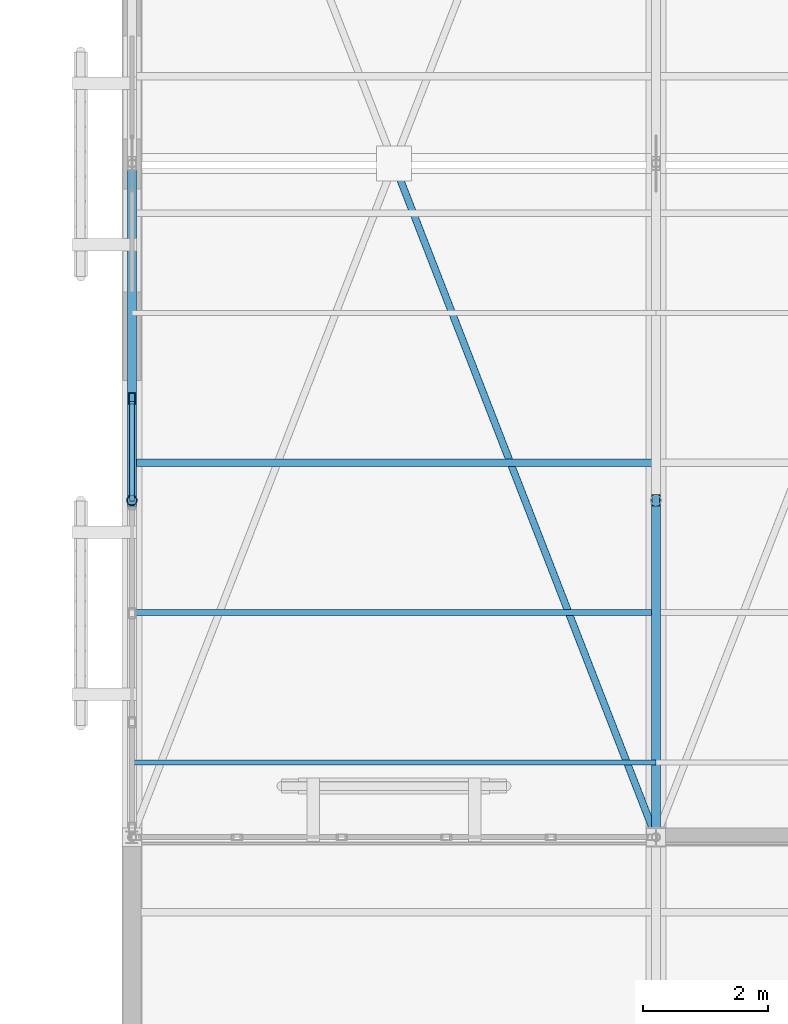
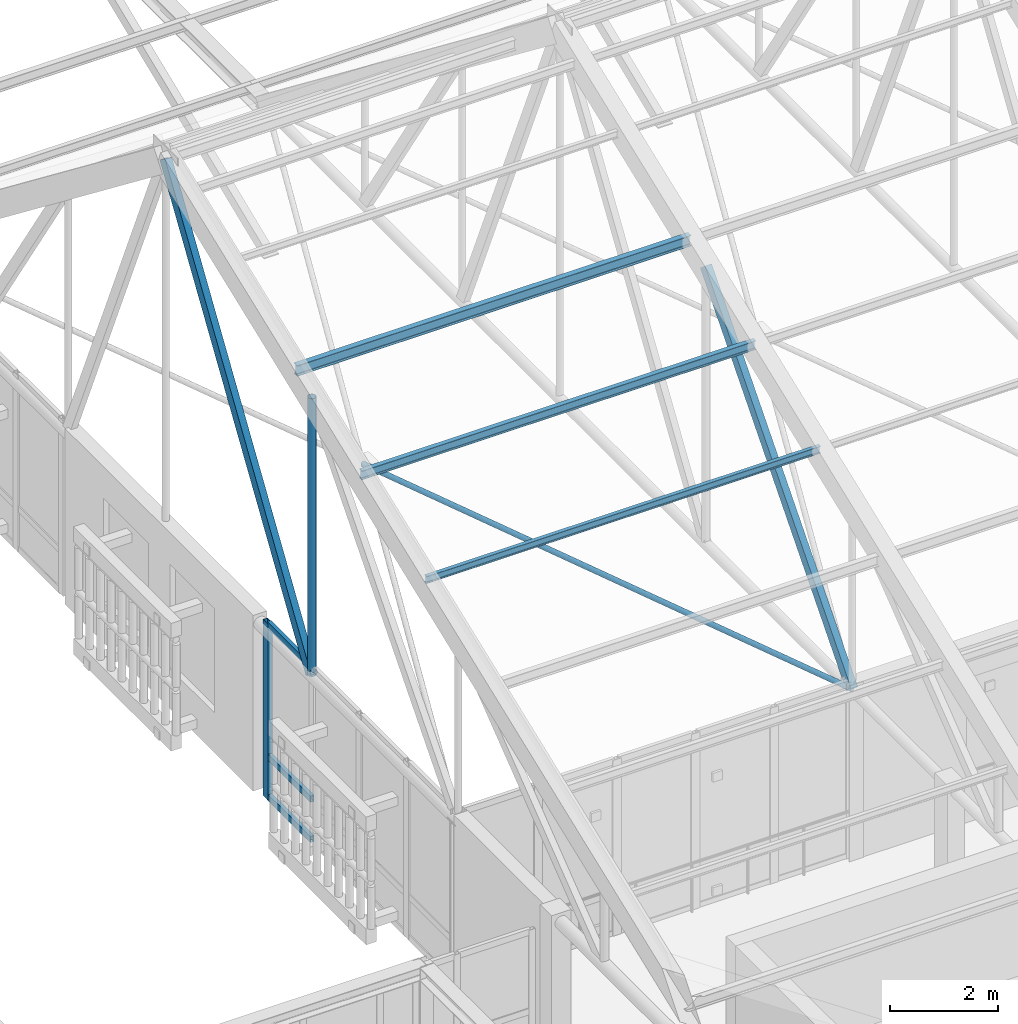
# One storey, part 73 of 217: 11 members, 1 element without a shape of its own.
"""IFC4 building model written with IfcOpenShell, lengths in metres."""

from ifc_helpers import new_model, si_unit, direction, frame, origin, origin_2d, place, context, subcontext, project, spatial, hollow_rectangle, hollow_circle, i_section, extrude, material, layer, layer_set, material_profile, profile_set, type_object, element, aggregate, save


model = new_model("IFC4")

# Units and contexts
model_context = context("Model", 3, precision=1e-05, world=origin(), true_north=direction((0.0, 1.0)))
body_context = subcontext(model_context, "Body", "Model", "MODEL_VIEW")
ifc_project = project(units=[si_unit("LENGTHUNIT", "METRE"), si_unit("AREAUNIT", "SQUARE_METRE"), si_unit("VOLUMEUNIT", "CUBIC_METRE"), si_unit("PLANEANGLEUNIT", "RADIAN"), si_unit("MASSUNIT", "GRAM", prefix="KILO")], contexts=[model_context])

# Site, building, storey
site_placement = place(None, origin())
site = spatial("IfcSite", under=ifc_project, at=site_placement, CompositionType="ELEMENT")
building_placement = place(site_placement, origin())
building = spatial("IfcBuilding", under=site, at=building_placement, Name="Mazaris Harbour Polytechnic", CompositionType="ELEMENT")
storey_placement = place(building_placement, frame((0.0, 0.0, 9.60009765625)))
storey = spatial("IfcBuildingStorey", under=building, at=storey_placement, Name="L02", CompositionType="ELEMENT", Elevation=9.60009765625)

# Curtain wall, members
ifc_material_1 = material(Name="Anodised Bronze Aluminium and Low-E Glass", Category="aluminium")
ifc_layer = layer(ifc_material_1, 0.14990234375, Name="Anodised Bronze Aluminium and Low-E Glass")
ifc_layer_set = layer_set([ifc_layer], Name="Anodised Bronze Aluminium and Low-E Glass")
curtain_wall_type = type_object("IfcCurtainWallType", Name="Workshop Clerestory Curtain Wall", PredefinedType="NOTDEFINED", material=ifc_layer_set)
curtain_wall_placement = place(storey_placement, origin())
curtain_wall = element("IfcCurtainWall", 1, at=curtain_wall_placement, inside=storey, type_object=curtain_wall_type, Name="V1 L02 Curtain Wall 33", PredefinedType="NOTDEFINED")
ifc_material_2 = material(Name="Anodised Bronze Steel S355", Category="steel")
ifc_material_profile_1 = material_profile(ifc_material_2, hollow_rectangle(XDim=0.10009765625, YDim=0.179931640625, WallThickness=0.008056640625, at=origin_2d()), Name="RHS 100x180x8.0")
ifc_profile_set_1 = profile_set([ifc_material_profile_1], Name="Anodised Bronze Steel S355")
member_type_1 = type_object("IfcMemberType", Name="Curtain Mullion RHS100x180", PredefinedType="MULLION", material=ifc_profile_set_1)
member_1_placement = place(storey_placement, frame((54.0, 93.43310546875, 0.0), z_axis=(0.0, 0.0, 1.0), x_axis=(-1.0, 0.0, 0.0)))
member_1 = element("IfcMember", 2, at=member_1_placement, type_object=member_type_1, Name="CW-04 mullion 5", PredefinedType="MULLION", context=body_context, shape_type="SweptSolid", body=[
    extrude(hollow_rectangle(XDim=0.10009765625, YDim=0.179931640625, WallThickness=0.008056640625, at=origin_2d()), origin(), (0.0, 0.0, 1.0), 3.9599609375),
])
ifc_material_3 = material(Name="Anodised Bronze Steel S355", Category="steel")
ifc_material_profile_2 = material_profile(ifc_material_3, hollow_rectangle(XDim=0.080078125, YDim=0.139892578125, WallThickness=0.00634765625, at=origin_2d()), Name="RHS 80x140x6.3")
ifc_profile_set_2 = profile_set([ifc_material_profile_2], Name="Anodised Bronze Steel S355")
member_type_2 = type_object("IfcMemberType", Name="Curtain Transom RHS80x140", PredefinedType="USERDEFINED", material=ifc_profile_set_2)
member_2_placement = place(storey_placement, frame((54.0, 91.78662109375, 0.039794921875), z_axis=(0.0, 1.0, 0.0), x_axis=(-1.0, 0.0, 0.0)))
member_2 = element("IfcMember", 3, at=member_2_placement, type_object=member_type_2, Name="CW-04 transom 4.1", ObjectType="TRANSOM", PredefinedType="USERDEFINED", context=body_context, shape_type="SweptSolid", body=[
    extrude(hollow_rectangle(XDim=0.080078125, YDim=0.139892578125, WallThickness=0.00634765625, at=origin_2d()), origin(), (0.0, 0.0, 1.0), 1.596435546875),
])
member_3_placement = place(storey_placement, frame((54.0, 91.78662109375, 0.949951171875), z_axis=(0.0, 1.0, 0.0), x_axis=(-1.0, 0.0, 0.0)))
member_3 = element("IfcMember", 4, at=member_3_placement, type_object=member_type_2, Name="CW-04 transom 4.2", ObjectType="TRANSOM", PredefinedType="USERDEFINED", context=body_context, shape_type="SweptSolid", body=[
    extrude(hollow_rectangle(XDim=0.080078125, YDim=0.139892578125, WallThickness=0.00634765625, at=origin_2d()), origin(), (0.0, 0.0, 1.0), 1.596435546875),
])
member_4_placement = place(storey_placement, frame((54.0, 91.78662109375, 3.919921875), z_axis=(0.0, 1.0, 0.0), x_axis=(-1.0, 0.0, 0.0)))
member_4 = element("IfcMember", 5, at=member_4_placement, type_object=member_type_2, Name="CW-04 transom 4.3", ObjectType="TRANSOM", PredefinedType="USERDEFINED", context=body_context, shape_type="SweptSolid", body=[
    extrude(hollow_rectangle(XDim=0.080078125, YDim=0.139892578125, WallThickness=0.00634765625, at=origin_2d()), origin(), (0.0, 0.0, 1.0), 1.596435546875),
])
aggregate(curtain_wall, [member_1, member_2, member_3, member_4])

# Members
ifc_material_4 = material(Name="Steel S355", Category="steel")
ifc_material_profile_3 = material_profile(ifc_material_4, i_section(OverallWidth=0.08203125, OverallDepth=0.159912109375, WebThickness=0.0048828125, FlangeThickness=0.00732421875, FilletRadius=0.009033203125, at=origin_2d()), Name="IPE 160")
ifc_profile_set_3 = profile_set([ifc_material_profile_3], Name="Steel S355")
member_type_3 = type_object("IfcMemberType", Name="Steel Purlin IPE160", PredefinedType="PURLIN", material=ifc_profile_set_3)
member_5_placement = place(storey_placement, frame((54.0, 87.60009765625, 8.43798828125), z_axis=(1.0, 0.0, 0.0), x_axis=(0.0, 1.0, 0.0)))
element("IfcMember", 6, at=member_5_placement, inside=storey, type_object=member_type_3, Name="V1 Roof Purlin S-9", PredefinedType="PURLIN", context=body_context, shape_type="SweptSolid", body=[
    extrude(i_section(OverallWidth=0.08203125, OverallDepth=0.159912109375, WebThickness=0.0048828125, FlangeThickness=0.00732421875, FilletRadius=0.009033203125, at=origin_2d()), origin(), (0.0, 0.0, 1.0), 8.39990234375),
])
ifc_material_5 = material(Name="Steel S355", Category="steel")
ifc_material_profile_4 = material_profile(ifc_material_5, i_section(OverallWidth=0.10009765625, OverallDepth=0.199951171875, WebThickness=0.005615234375, FlangeThickness=0.008544921875, FilletRadius=0.011962890625, at=origin_2d()), Name="IPE 200")
ifc_profile_set_4 = profile_set([ifc_material_profile_4], Name="Steel S355")
member_type_4 = type_object("IfcMemberType", Name="Steel Purlin IPE200", PredefinedType="PURLIN", material=ifc_profile_set_4)
member_6_placement = place(storey_placement, frame((54.0, 90.0, 9.344970703125), z_axis=(1.0, 0.0, 0.0), x_axis=(0.0, 1.0, 0.0)))
element("IfcMember", 7, at=member_6_placement, inside=storey, type_object=member_type_4, Name="V1 Roof Purlin S-10", PredefinedType="PURLIN", context=body_context, shape_type="SweptSolid", body=[
    extrude(i_section(OverallWidth=0.10009765625, OverallDepth=0.199951171875, WebThickness=0.005615234375, FlangeThickness=0.008544921875, FilletRadius=0.011962890625, at=origin_2d()), origin(), (0.0, 0.0, 1.0), 8.39990234375),
])
ifc_material_6 = material(Name="Steel S355", Category="steel")
ifc_material_profile_5 = material_profile(ifc_material_6, i_section(OverallWidth=0.1201171875, OverallDepth=0.239990234375, WebThickness=0.006103515625, FlangeThickness=0.009765625, FilletRadius=0.014892578125, at=origin_2d()), Name="IPE 240")
ifc_profile_set_5 = profile_set([ifc_material_profile_5], Name="Steel S355")
member_type_5 = type_object("IfcMemberType", Name="Steel Purlin IPE240", PredefinedType="PURLIN", material=ifc_profile_set_5)
member_7_placement = place(storey_placement, frame((54.0, 92.39990234375, 10.251220703125), z_axis=(1.0, 0.0, 0.0), x_axis=(0.0, 1.0, 0.0)))
element("IfcMember", 8, at=member_7_placement, inside=storey, type_object=member_type_5, Name="V1 Roof Purlin S-11", PredefinedType="PURLIN", context=body_context, shape_type="SweptSolid", body=[
    extrude(i_section(OverallWidth=0.1201171875, OverallDepth=0.239990234375, WebThickness=0.006103515625, FlangeThickness=0.009765625, FilletRadius=0.014892578125, at=origin_2d()), origin(), (0.0, 0.0, 1.0), 8.39990234375),
])
ifc_material_7 = material(Name="Steel S355", Category="steel")
ifc_material_profile_6 = material_profile(ifc_material_7, hollow_rectangle(XDim=0.139892578125, YDim=0.239990234375, WallThickness=0.010009765625, at=origin_2d()), Name="RHS 140x240x10.0")
ifc_profile_set_6 = profile_set([ifc_material_profile_6], Name="Steel S355")
member_type_6 = type_object("IfcMemberType", Name="Steel Truss Diagonal RHS140x240", PredefinedType="BRACE", material=ifc_profile_set_6)
member_8_placement = place(storey_placement, frame((54.0, 91.800048828125, 3.75), z_axis=(0.0, 0.543042568824, 0.839705167571), x_axis=(-1.0, 0.0, 0.0)))
element("IfcMember", 9, at=member_8_placement, inside=storey, type_object=member_type_6, Name="Truss 1 Web Diagonal S4", PredefinedType="BRACE", context=body_context, shape_type="SweptSolid", body=[
    extrude(hollow_rectangle(XDim=0.139892578125, YDim=0.239990234375, WallThickness=0.010009765625, at=origin_2d()), origin(), (0.0, 0.0, 1.0), 9.94384765625),
])
member_9_placement = place(storey_placement, frame((62.39990234375, 86.39990234375, 3.75), z_axis=(0.0, 0.653042406465, 0.757321342205), x_axis=(-1.0, 0.0, 0.0)))
element("IfcMember", 10, at=member_9_placement, inside=storey, type_object=member_type_6, Name="Truss 2 Web Diagonal S3", PredefinedType="BRACE", context=body_context, shape_type="SweptSolid", body=[
    extrude(hollow_rectangle(XDim=0.139892578125, YDim=0.239990234375, WallThickness=0.010009765625, at=origin_2d()), origin(), (0.0, 0.0, 1.0), 8.269287109375),
])
ifc_material_8 = material(Name="Steel S355", Category="steel")
ifc_material_profile_7 = material_profile(ifc_material_8, hollow_circle(Radius=0.084228515625, WallThickness=0.008056640625, at=origin_2d()), Name="CHS 168.3x8.0")
ifc_profile_set_7 = profile_set([ifc_material_profile_7], Name="Steel S355")
member_type_7 = type_object("IfcMemberType", Name="Steel Truss Strut CHS168", PredefinedType="STRUT", material=ifc_profile_set_7)
member_10_placement = place(storey_placement, frame((54.0, 91.800048828125, 3.75), z_axis=(0.0, 0.0, 1.0), x_axis=(1.0, 0.0, 0.0)))
element("IfcMember", 11, at=member_10_placement, inside=storey, type_object=member_type_7, Name="Truss 1 Web Post S3", PredefinedType="STRUT", context=body_context, shape_type="SweptSolid", body=[
    extrude(hollow_circle(Radius=0.084228515625, WallThickness=0.008056640625, at=origin_2d()), origin(), (0.0, 0.0, 1.0), 6.262451171875),
])
ifc_material_9 = material(Name="Steel S355", Category="steel")
ifc_material_profile_8 = material_profile(ifc_material_9, hollow_circle(Radius=0.05712890625, WallThickness=0.00634765625, at=origin_2d()), Name="CHS 114.3x6.3")
ifc_profile_set_8 = profile_set([ifc_material_profile_8], Name="Steel S355")
member_type_8 = type_object("IfcMemberType", Name="Steel Wind Brace CHS114", PredefinedType="BRACE", material=ifc_profile_set_8)
member_11_placement = place(storey_placement, frame((58.199951171875, 97.199951171875, 3.75), z_axis=(0.3624411776, -0.932006648463, 0.0), x_axis=(0.932006648463, 0.3624411776, 0.0)))
element("IfcMember", 12, at=member_11_placement, inside=storey, type_object=member_type_8, Name="V1 Split Roof Wind Brace 1B2", PredefinedType="BRACE", context=body_context, shape_type="SweptSolid", body=[
    extrude(hollow_circle(Radius=0.05712890625, WallThickness=0.00634765625, at=origin_2d()), origin(), (0.0, 0.0, 1.0), 11.587890625),
])

save(model, "model.ifc")
